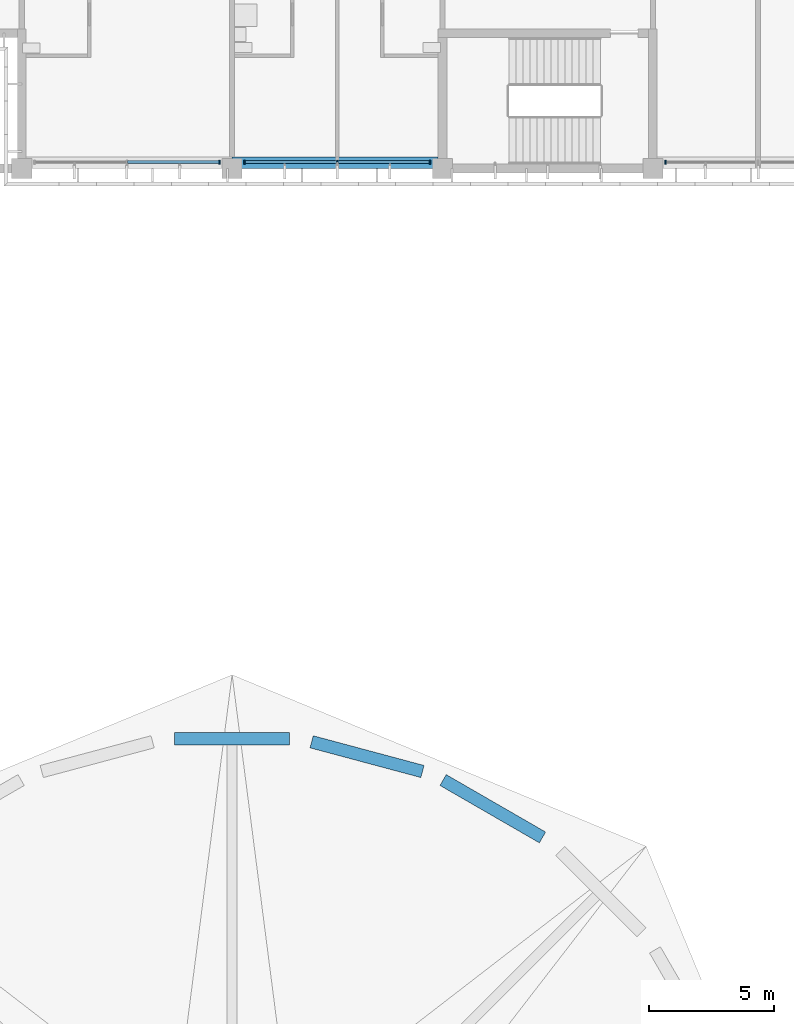
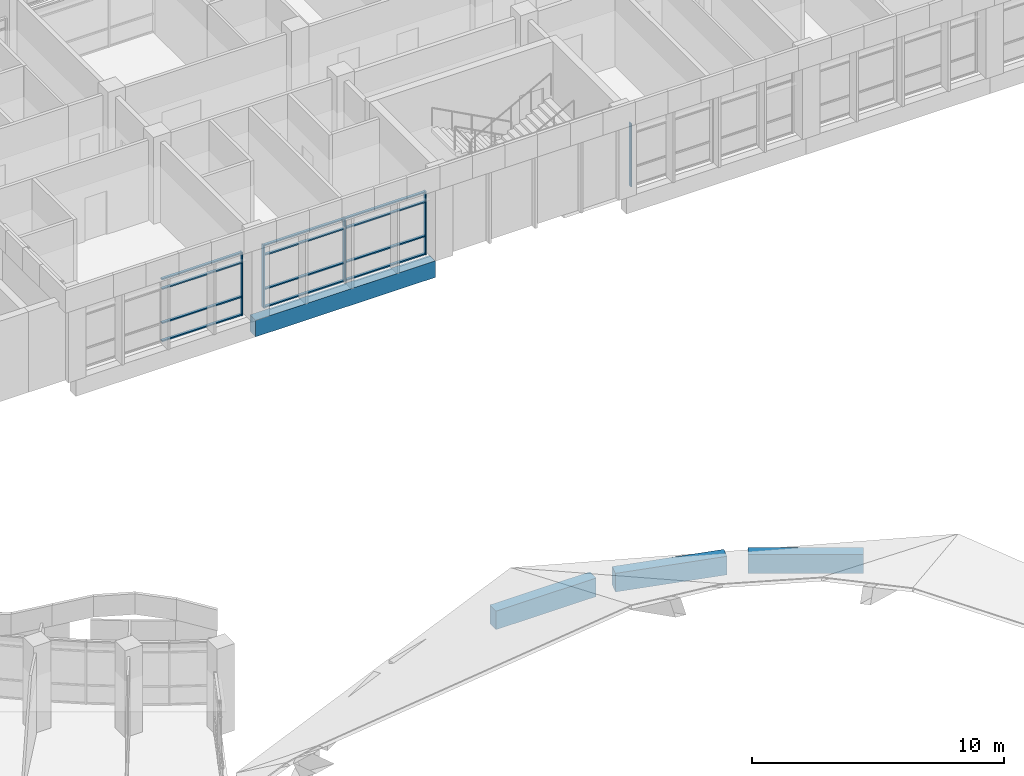
# One storey, part 26 of 137: 17 members, 4 beams, 3 elements without a shape of their own.
"""IFC4 building model written with IfcOpenShell, lengths in metres."""

from ifc_helpers import new_model, si_unit, direction, frame, origin, origin_2d, place, context, subcontext, project, spatial, rectangle, extrude, material, material_profile, profile_set, type_object, element, aggregate, save


model = new_model("IFC4")

# Units and contexts
model_context = context("Model", 3, precision=1e-05, world=origin(), true_north=direction((0.0, 1.0)))
body_context = subcontext(model_context, "Body", "Model", "MODEL_VIEW")
ifc_project = project(units=[si_unit("LENGTHUNIT", "METRE"), si_unit("AREAUNIT", "SQUARE_METRE"), si_unit("VOLUMEUNIT", "CUBIC_METRE"), si_unit("PLANEANGLEUNIT", "RADIAN"), si_unit("MASSUNIT", "GRAM", prefix="KILO")], contexts=[model_context])

# Site, building, storey
site_placement = place(None, origin())
site = spatial("IfcSite", under=ifc_project, at=site_placement, CompositionType="ELEMENT")
building_placement = place(site_placement, origin())
building = spatial("IfcBuilding", under=site, at=building_placement, Name="Bougainvillea Quay General Hospital", CompositionType="ELEMENT")
storey_placement = place(building_placement, frame((0.0, 0.0, 16.800048828125)))
storey = spatial("IfcBuildingStorey", under=building, at=storey_placement, Name="L03", CompositionType="ELEMENT", Elevation=16.800048828125)

# Curtain wall, member
ifc_material_1 = material(Name="Aluminium curtain wall system, powder-coated glazed", Category="aluminium")
curtain_wall_type = type_object("IfcCurtainWallType", Name="Unitised curtain wall CW-3730", PredefinedType="NOTDEFINED", material=ifc_material_1)
curtain_wall_1_placement = place(storey_placement, origin())
curtain_wall_1 = element("IfcCurtainWall", 1, at=curtain_wall_1_placement, inside=storey, type_object=curtain_wall_type, Name="CW-4200 00", PredefinedType="NOTDEFINED")
ifc_material_2 = material(Name="Aluminium mullion, powder-coated charcoal", Category="aluminium")
ifc_material_profile_1 = material_profile(ifc_material_2, rectangle(XDim=0.159912109375, YDim=0.06005859375, at=origin_2d()))
ifc_profile_set_1 = profile_set([ifc_material_profile_1], Name="Aluminium mullion, powder-coated charcoal")
member_type_1 = type_object("IfcMemberType", Name="Curtain wall mullion 160x60", PredefinedType="MULLION", material=ifc_profile_set_1)
member_1_placement = place(storey_placement, frame((108.699951171875, 117.85009765625, 0.0), z_axis=(0.0, 0.0, 1.0), x_axis=(0.0, 1.0, 0.0)))
member_1 = element("IfcMember", 2, at=member_1_placement, type_object=member_type_1, Name="CW-4200 mullion 3", PredefinedType="MULLION", context=body_context, shape_type="SweptSolid", body=[
    extrude(rectangle(XDim=0.159912109375, YDim=0.06005859375, at=origin_2d()), origin(), (0.0, 0.0, 1.0), 3.050048828125),
])

# Curtain wall, members
curtain_wall_2_placement = place(storey_placement, origin())
curtain_wall_2 = element("IfcCurtainWall", 3, at=curtain_wall_2_placement, inside=storey, type_object=curtain_wall_type, Name="CW-4200 01", PredefinedType="NOTDEFINED")
member_2_placement = place(storey_placement, frame((109.699951171875, 117.85009765625, 0.0), z_axis=(0.0, 0.0, 1.0), x_axis=(0.0, 1.0, 0.0)))
member_2 = element("IfcMember", 4, at=member_2_placement, type_object=member_type_1, Name="CW-4200 mullion 1", PredefinedType="MULLION", context=body_context, shape_type="SweptSolid", body=[
    extrude(rectangle(XDim=0.159912109375, YDim=0.06005859375, at=origin_2d()), origin(), (0.0, 0.0, 1.0), 3.050048828125),
])
member_3_placement = place(storey_placement, frame((113.39990234375, 117.85009765625, 0.0), z_axis=(0.0, 0.0, 1.0), x_axis=(0.0, 1.0, 0.0)))
member_3 = element("IfcMember", 5, at=member_3_placement, type_object=member_type_1, Name="CW-4200 mullion 2", PredefinedType="MULLION", context=body_context, shape_type="SweptSolid", body=[
    extrude(rectangle(XDim=0.159912109375, YDim=0.06005859375, at=origin_2d()), origin(), (0.0, 0.0, 1.0), 3.050048828125),
])
member_4_placement = place(storey_placement, frame((117.10009765625, 117.85009765625, 0.0), z_axis=(0.0, 0.0, 1.0), x_axis=(0.0, 1.0, 0.0)))
member_4 = element("IfcMember", 6, at=member_4_placement, type_object=member_type_1, Name="CW-4200 mullion 3", PredefinedType="MULLION", context=body_context, shape_type="SweptSolid", body=[
    extrude(rectangle(XDim=0.159912109375, YDim=0.06005859375, at=origin_2d()), origin(), (0.0, 0.0, 1.0), 3.050048828125),
])

# Curtain wall, member
curtain_wall_3_placement = place(storey_placement, origin())
curtain_wall_3 = element("IfcCurtainWall", 7, at=curtain_wall_3_placement, inside=storey, type_object=curtain_wall_type, Name="CW-4200 02", PredefinedType="NOTDEFINED")
member_5_placement = place(storey_placement, frame((126.5, 117.85009765625, 0.0), z_axis=(0.0, 0.0, 1.0), x_axis=(0.0, 1.0, 0.0)))
member_5 = element("IfcMember", 8, at=member_5_placement, type_object=member_type_1, Name="CW-4200 mullion 1", PredefinedType="MULLION", context=body_context, shape_type="SweptSolid", body=[
    extrude(rectangle(XDim=0.159912109375, YDim=0.06005859375, at=origin_2d()), origin(), (0.0, 0.0, 1.0), 3.050048828125),
])
aggregate(curtain_wall_3, [member_5])

# Member
ifc_material_3 = material(Name="Aluminium transom, powder-coated charcoal", Category="aluminium")
ifc_material_profile_2 = material_profile(ifc_material_3, rectangle(XDim=0.1201171875, YDim=0.06005859375, at=origin_2d()))
ifc_profile_set_2 = profile_set([ifc_material_profile_2], Name="Aluminium transom, powder-coated charcoal")
member_type_2 = type_object("IfcMemberType", Name="Curtain wall transom 120x60", PredefinedType="USERDEFINED", material=ifc_profile_set_2)
member_6_placement = place(storey_placement, frame((105.030029296875, 117.85009765625, 0.030029296875), z_axis=(1.0, 0.0, 0.0), x_axis=(0.0, 1.0, 0.0)))
member_6 = element("IfcMember", 9, at=member_6_placement, type_object=member_type_2, Name="CW-4200 transom 2.1", ObjectType="TRANSOM", PredefinedType="USERDEFINED", context=body_context, shape_type="SweptSolid", body=[
    extrude(rectangle(XDim=0.1201171875, YDim=0.06005859375, at=origin_2d()), origin(), (0.0, 0.0, 1.0), 3.639892578125),
])

member_7_placement = place(storey_placement, frame((105.030029296875, 117.85009765625, 0.89990234375), z_axis=(1.0, 0.0, 0.0), x_axis=(0.0, 1.0, 0.0)))
member_7 = element("IfcMember", 10, at=member_7_placement, type_object=member_type_2, Name="CW-4200 transom 2.2", ObjectType="TRANSOM", PredefinedType="USERDEFINED", context=body_context, shape_type="SweptSolid", body=[
    extrude(rectangle(XDim=0.1201171875, YDim=0.06005859375, at=origin_2d()), origin(), (0.0, 0.0, 1.0), 3.639892578125),
])

member_8_placement = place(storey_placement, frame((105.030029296875, 117.85009765625, 2.550048828125), z_axis=(1.0, 0.0, 0.0), x_axis=(0.0, 1.0, 0.0)))
member_8 = element("IfcMember", 11, at=member_8_placement, type_object=member_type_2, Name="CW-4200 transom 2.3", ObjectType="TRANSOM", PredefinedType="USERDEFINED", context=body_context, shape_type="SweptSolid", body=[
    extrude(rectangle(XDim=0.1201171875, YDim=0.06005859375, at=origin_2d()), origin(), (0.0, 0.0, 1.0), 3.639892578125),
])

member_9_placement = place(storey_placement, frame((105.030029296875, 117.85009765625, 3.02001953125), z_axis=(1.0, 0.0, 0.0), x_axis=(0.0, 1.0, 0.0)))
member_9 = element("IfcMember", 12, at=member_9_placement, type_object=member_type_2, Name="CW-4200 transom 2.4", ObjectType="TRANSOM", PredefinedType="USERDEFINED", context=body_context, shape_type="SweptSolid", body=[
    extrude(rectangle(XDim=0.1201171875, YDim=0.06005859375, at=origin_2d()), origin(), (0.0, 0.0, 1.0), 3.639892578125),
])

aggregate(curtain_wall_1, [member_1, member_6, member_7, member_8, member_9])

member_10_placement = place(storey_placement, frame((109.72998046875, 117.85009765625, 0.030029296875), z_axis=(1.0, 0.0, 0.0), x_axis=(0.0, 1.0, 0.0)))
member_10 = element("IfcMember", 13, at=member_10_placement, type_object=member_type_2, Name="CW-4200 transom 1.1", ObjectType="TRANSOM", PredefinedType="USERDEFINED", context=body_context, shape_type="SweptSolid", body=[
    extrude(rectangle(XDim=0.1201171875, YDim=0.06005859375, at=origin_2d()), origin(), (0.0, 0.0, 1.0), 3.64013671875),
])

member_11_placement = place(storey_placement, frame((109.72998046875, 117.85009765625, 0.89990234375), z_axis=(1.0, 0.0, 0.0), x_axis=(0.0, 1.0, 0.0)))
member_11 = element("IfcMember", 14, at=member_11_placement, type_object=member_type_2, Name="CW-4200 transom 1.2", ObjectType="TRANSOM", PredefinedType="USERDEFINED", context=body_context, shape_type="SweptSolid", body=[
    extrude(rectangle(XDim=0.1201171875, YDim=0.06005859375, at=origin_2d()), origin(), (0.0, 0.0, 1.0), 3.64013671875),
])

member_12_placement = place(storey_placement, frame((109.72998046875, 117.85009765625, 2.550048828125), z_axis=(1.0, 0.0, 0.0), x_axis=(0.0, 1.0, 0.0)))
member_12 = element("IfcMember", 15, at=member_12_placement, type_object=member_type_2, Name="CW-4200 transom 1.3", ObjectType="TRANSOM", PredefinedType="USERDEFINED", context=body_context, shape_type="SweptSolid", body=[
    extrude(rectangle(XDim=0.1201171875, YDim=0.06005859375, at=origin_2d()), origin(), (0.0, 0.0, 1.0), 3.64013671875),
])

member_13_placement = place(storey_placement, frame((109.72998046875, 117.85009765625, 3.02001953125), z_axis=(1.0, 0.0, 0.0), x_axis=(0.0, 1.0, 0.0)))
member_13 = element("IfcMember", 16, at=member_13_placement, type_object=member_type_2, Name="CW-4200 transom 1.4", ObjectType="TRANSOM", PredefinedType="USERDEFINED", context=body_context, shape_type="SweptSolid", body=[
    extrude(rectangle(XDim=0.1201171875, YDim=0.06005859375, at=origin_2d()), origin(), (0.0, 0.0, 1.0), 3.64013671875),
])

member_14_placement = place(storey_placement, frame((113.429931640625, 117.85009765625, 0.030029296875), z_axis=(1.0, 0.0, 0.0), x_axis=(0.0, 1.0, 0.0)))
member_14 = element("IfcMember", 17, at=member_14_placement, type_object=member_type_2, Name="CW-4200 transom 2.1", ObjectType="TRANSOM", PredefinedType="USERDEFINED", context=body_context, shape_type="SweptSolid", body=[
    extrude(rectangle(XDim=0.1201171875, YDim=0.06005859375, at=origin_2d()), origin(), (0.0, 0.0, 1.0), 3.64013671875),
])

member_15_placement = place(storey_placement, frame((113.429931640625, 117.85009765625, 0.89990234375), z_axis=(1.0, 0.0, 0.0), x_axis=(0.0, 1.0, 0.0)))
member_15 = element("IfcMember", 18, at=member_15_placement, type_object=member_type_2, Name="CW-4200 transom 2.2", ObjectType="TRANSOM", PredefinedType="USERDEFINED", context=body_context, shape_type="SweptSolid", body=[
    extrude(rectangle(XDim=0.1201171875, YDim=0.06005859375, at=origin_2d()), origin(), (0.0, 0.0, 1.0), 3.64013671875),
])

member_16_placement = place(storey_placement, frame((113.429931640625, 117.85009765625, 2.550048828125), z_axis=(1.0, 0.0, 0.0), x_axis=(0.0, 1.0, 0.0)))
member_16 = element("IfcMember", 19, at=member_16_placement, type_object=member_type_2, Name="CW-4200 transom 2.3", ObjectType="TRANSOM", PredefinedType="USERDEFINED", context=body_context, shape_type="SweptSolid", body=[
    extrude(rectangle(XDim=0.1201171875, YDim=0.06005859375, at=origin_2d()), origin(), (0.0, 0.0, 1.0), 3.64013671875),
])

member_17_placement = place(storey_placement, frame((113.429931640625, 117.85009765625, 3.02001953125), z_axis=(1.0, 0.0, 0.0), x_axis=(0.0, 1.0, 0.0)))
member_17 = element("IfcMember", 20, at=member_17_placement, type_object=member_type_2, Name="CW-4200 transom 2.4", ObjectType="TRANSOM", PredefinedType="USERDEFINED", context=body_context, shape_type="SweptSolid", body=[
    extrude(rectangle(XDim=0.1201171875, YDim=0.06005859375, at=origin_2d()), origin(), (0.0, 0.0, 1.0), 3.64013671875),
])

aggregate(curtain_wall_2, [member_2, member_3, member_4, member_10, member_11, member_12, member_13, member_14, member_15, member_16, member_17])

# Beams
ifc_material_4 = material(Name="Concrete C40", Category="concrete")
ifc_material_profile_3 = material_profile(ifc_material_4, rectangle(XDim=0.449951171875, YDim=0.800048828125, at=origin_2d()))
ifc_profile_set_3 = profile_set([ifc_material_profile_3], Name="Concrete C40")
beam_type_1 = type_object("IfcBeamType", Name="RC BEAM 450x800 C40", PredefinedType="BEAM", material=ifc_profile_set_3)
beam_1_placement = place(storey_placement, frame((109.199951171875, 117.824951171875, -0.699951171875), z_axis=(1.0, 0.0, 0.0), x_axis=(0.0, 1.0, 0.0)))
element("IfcBeam", 21, at=beam_1_placement, inside=storey, type_object=beam_type_1, Name="Edge beam L03", PredefinedType="BEAM", context=body_context, shape_type="SweptSolid", body=[
    extrude(rectangle(XDim=0.449951171875, YDim=0.800048828125, at=origin_2d()), origin(), (0.0, 0.0, 1.0), 8.22509765625),
])
ifc_material_profile_4 = material_profile(ifc_material_4, rectangle(XDim=0.5, YDim=0.89990234375, at=origin_2d()))
ifc_profile_set_4 = profile_set([ifc_material_profile_4], Name="Concrete C40")
beam_type_2 = type_object("IfcBeamType", Name="RC BEAM 500x900 C40", PredefinedType="BEAM", material=ifc_profile_set_4)
beam_2_placement = place(storey_placement, frame((121.59423828125, 90.885009765625, -0.0517578125), z_axis=(-0.866044519823, 0.499966888589, 0.0), x_axis=(-0.499966888589, -0.866044519823, 0.0)))
element("IfcBeam", 22, at=beam_2_placement, inside=storey, type_object=beam_type_2, Name="Beam ROOF-V1-ER-04", PredefinedType="BEAM", context=body_context, shape_type="SweptSolid", body=[
    extrude(rectangle(XDim=0.5, YDim=0.89990234375, at=origin_2d()), origin(), (0.0, 0.0, 1.0), 4.582275390625),
])
beam_3_placement = place(storey_placement, frame((116.80126953125, 93.517578125, -0.0517578125), z_axis=(-0.965914035924, 0.258863043334, 0.0), x_axis=(-0.258863043334, -0.965914035924, 0.0)))
element("IfcBeam", 23, at=beam_3_placement, inside=storey, type_object=beam_type_2, Name="Beam ROOF-V1-ER-05", PredefinedType="BEAM", context=body_context, shape_type="SweptSolid", body=[
    extrude(rectangle(XDim=0.5, YDim=0.89990234375, at=origin_2d()), origin(), (0.0, 0.0, 1.0), 4.581787109375),
])
beam_4_placement = place(storey_placement, frame((111.490966796875, 94.820068359375, -0.0517578125), z_axis=(-1.0, 0.0, 0.0), x_axis=(0.0, -1.0, 0.0)))
element("IfcBeam", 24, at=beam_4_placement, inside=storey, type_object=beam_type_2, Name="Beam ROOF-V1-ER-06", PredefinedType="BEAM", context=body_context, shape_type="SweptSolid", body=[
    extrude(rectangle(XDim=0.5, YDim=0.89990234375, at=origin_2d()), origin(), (0.0, 0.0, 1.0), 4.58203125),
])

save(model, "model.ifc")
